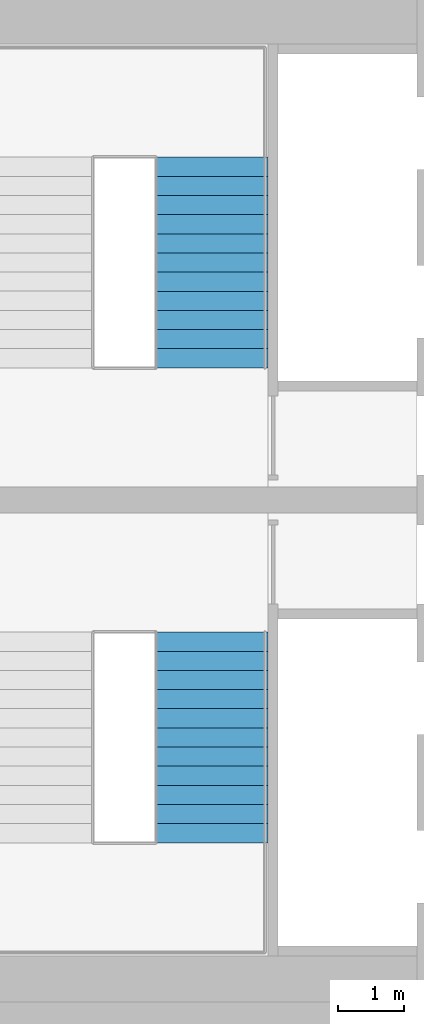
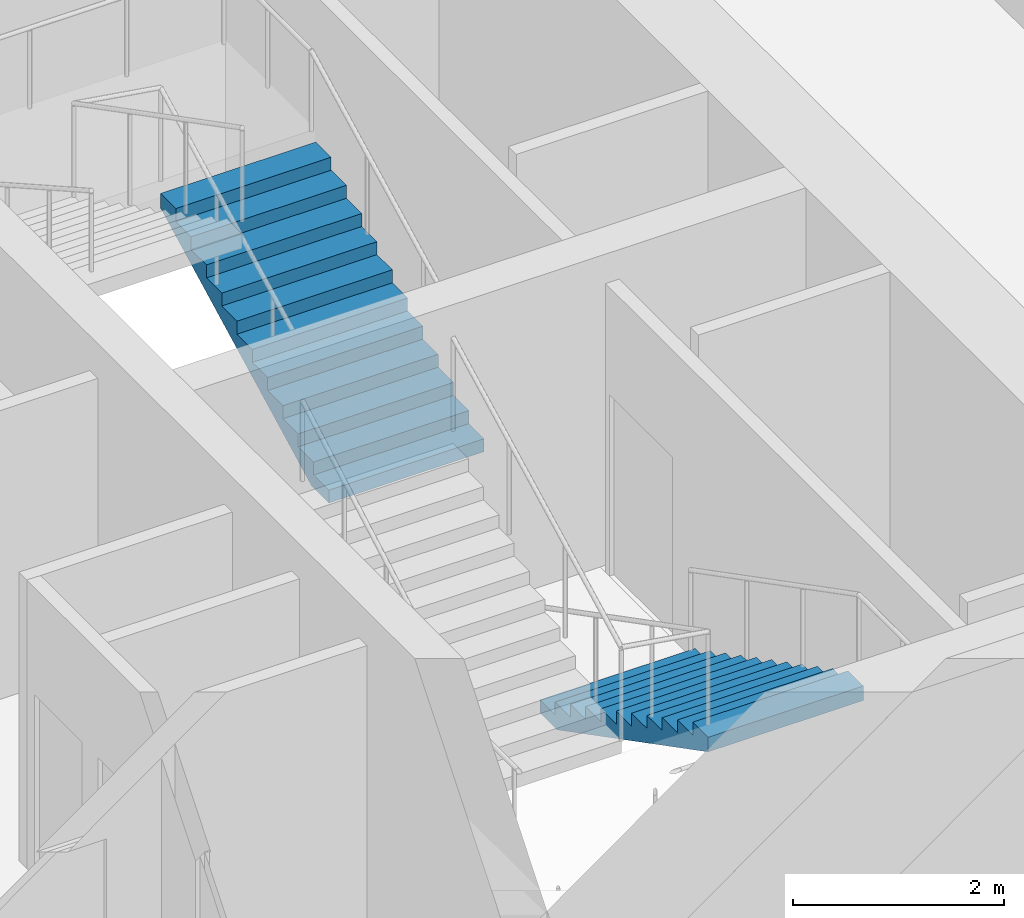
# One storey, part 19 of 20: 2 stair flights, 2 elements without a shape of their own.
"""IFC4 building model written with IfcOpenShell, lengths in metres."""

from ifc_helpers import new_model, si_unit, direction, frame, origin, place, context, subcontext, project, spatial, polyline, outline, extrude, material, type_object, element, aggregate, save


model = new_model("IFC4")

# Units and contexts
model_context = context("Model", 3, precision=1e-05, world=origin(), true_north=direction((0.0, 1.0)))
body_context = subcontext(model_context, "Body", "Model", "MODEL_VIEW")
ifc_project = project(units=[si_unit("LENGTHUNIT", "METRE"), si_unit("AREAUNIT", "SQUARE_METRE"), si_unit("VOLUMEUNIT", "CUBIC_METRE"), si_unit("PLANEANGLEUNIT", "RADIAN"), si_unit("MASSUNIT", "GRAM", prefix="KILO")], contexts=[model_context])

# Site, building, storey
site_placement = place(None, origin())
site = spatial("IfcSite", under=ifc_project, at=site_placement, CompositionType="ELEMENT")
building_placement = place(site_placement, origin())
building = spatial("IfcBuilding", under=site, at=building_placement, Name="Marenta Gate Hotel Tower", CompositionType="ELEMENT")
storey_placement = place(building_placement, frame((0.0, 0.0, 216.5)))
storey = spatial("IfcBuildingStorey", under=building, at=storey_placement, Name="L50", CompositionType="ELEMENT", Elevation=216.5)

# Stair, stair flight
ifc_material_1 = material(Name="Concrete C40", Category="concrete")
stair_type = type_object("IfcStairType", Name="Core exit stair 1700 wide", PredefinedType="HALF_TURN_STAIR", material=ifc_material_1)
stair_1_placement = place(storey_placement, origin())
stair_1 = element("IfcStair", 1, at=stair_1_placement, inside=storey, type_object=stair_type, Name="Exit stair 3", PredefinedType="HALF_TURN_STAIR")
ifc_material_2 = material(Name="Concrete C40", Category="concrete")
stair_flight_type = type_object("IfcStairFlightType", Name="Core stair flight 1700 riser 150.0 going 290", PredefinedType="STRAIGHT", material=ifc_material_2)
stair_flight_1_placement = place(storey_placement, frame((8.0, 6.39990234375, 0.0), z_axis=(0.0, 0.0, 1.0), x_axis=(0.0, -1.0, 0.0)))
stair_flight_1 = element("IfcStairFlight", 2, at=stair_flight_1_placement, type_object=stair_flight_type, Name="ST3 flight 1", NumberOfRisers=12, NumberOfTreads=11, PredefinedType="STRAIGHT", RiserHeight=0.15, TreadLength=0.29, context=body_context, shape_type="SweptSolid", body=[
    extrude(outline(polyline([(0.0, 0.0), (0.0, 0.14990234375), (0.2900390625, 0.14990234375), (0.2900390625, 0.300048828125), (0.580078125, 0.300048828125), (0.580078125, 0.449951171875), (0.8701171875, 0.449951171875), (0.8701171875, 0.60009765625), (1.159912109375, 0.60009765625), (1.159912109375, 0.75), (1.449951171875, 0.75), (1.449951171875, 0.89990234375), (1.739990234375, 0.89990234375), (1.739990234375, 1.050048828125), (2.030029296875, 1.050048828125), (2.030029296875, 1.199951171875), (2.320068359375, 1.199951171875), (2.320068359375, 1.35009765625), (2.610107421875, 1.35009765625), (2.610107421875, 1.5), (2.89990234375, 1.5), (2.89990234375, 1.64990234375), (3.18994140625, 1.64990234375), (3.18994140625, 1.800048828125), (3.18994140625, 1.481201171875), (0.326171875, 0.0), (0.0, 0.0)])), frame((0.0, 0.85009765625, 0.0), z_axis=(0.0, -1.0, 0.0), x_axis=(1.0, 0.0, 0.0)), (0.0, 0.0, 1.0), 1.699951171875),
])
aggregate(stair_1, [stair_flight_1])

stair_2_placement = place(storey_placement, origin())
stair_2 = element("IfcStair", 3, at=stair_2_placement, inside=storey, type_object=stair_type, Name="Exit stair 4", PredefinedType="HALF_TURN_STAIR")
stair_flight_2_placement = place(storey_placement, frame((8.0, 10.39990234375, 0.0), z_axis=(0.0, 0.0, 1.0), x_axis=(0.0, 1.0, 0.0)))
stair_flight_2 = element("IfcStairFlight", 4, at=stair_flight_2_placement, type_object=stair_flight_type, Name="ST4 flight 1", NumberOfRisers=12, NumberOfTreads=11, PredefinedType="STRAIGHT", RiserHeight=0.15, TreadLength=0.29, context=body_context, shape_type="SweptSolid", body=[
    extrude(outline(polyline([(0.0, 0.0), (0.0, 0.14990234375), (0.2900390625, 0.14990234375), (0.2900390625, 0.300048828125), (0.580078125, 0.300048828125), (0.580078125, 0.449951171875), (0.8701171875, 0.449951171875), (0.8701171875, 0.60009765625), (1.159912109375, 0.60009765625), (1.159912109375, 0.75), (1.449951171875, 0.75), (1.449951171875, 0.89990234375), (1.739990234375, 0.89990234375), (1.739990234375, 1.050048828125), (2.030029296875, 1.050048828125), (2.030029296875, 1.199951171875), (2.320068359375, 1.199951171875), (2.320068359375, 1.35009765625), (2.610107421875, 1.35009765625), (2.610107421875, 1.5), (2.89990234375, 1.5), (2.89990234375, 1.64990234375), (3.18994140625, 1.64990234375), (3.18994140625, 1.800048828125), (3.18994140625, 1.481201171875), (0.326171875, 0.0), (0.0, 0.0)])), frame((0.0, 0.85009765625, 0.0), z_axis=(0.0, -1.0, 0.0), x_axis=(1.0, 0.0, 0.0)), (0.0, 0.0, 1.0), 1.699951171875),
])
aggregate(stair_2, [stair_flight_2])

save(model, "model.ifc")
